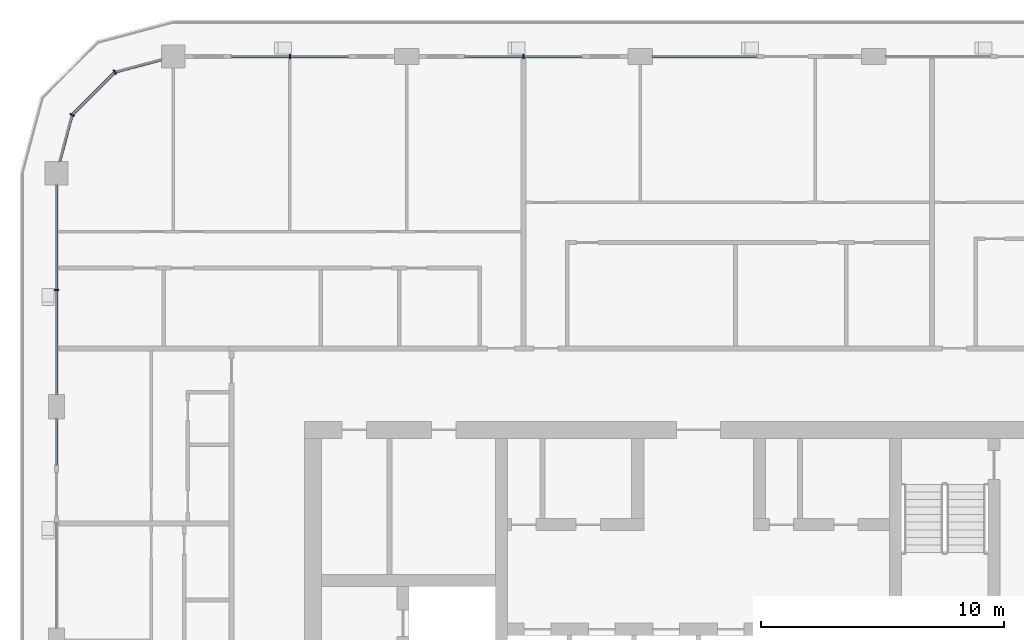
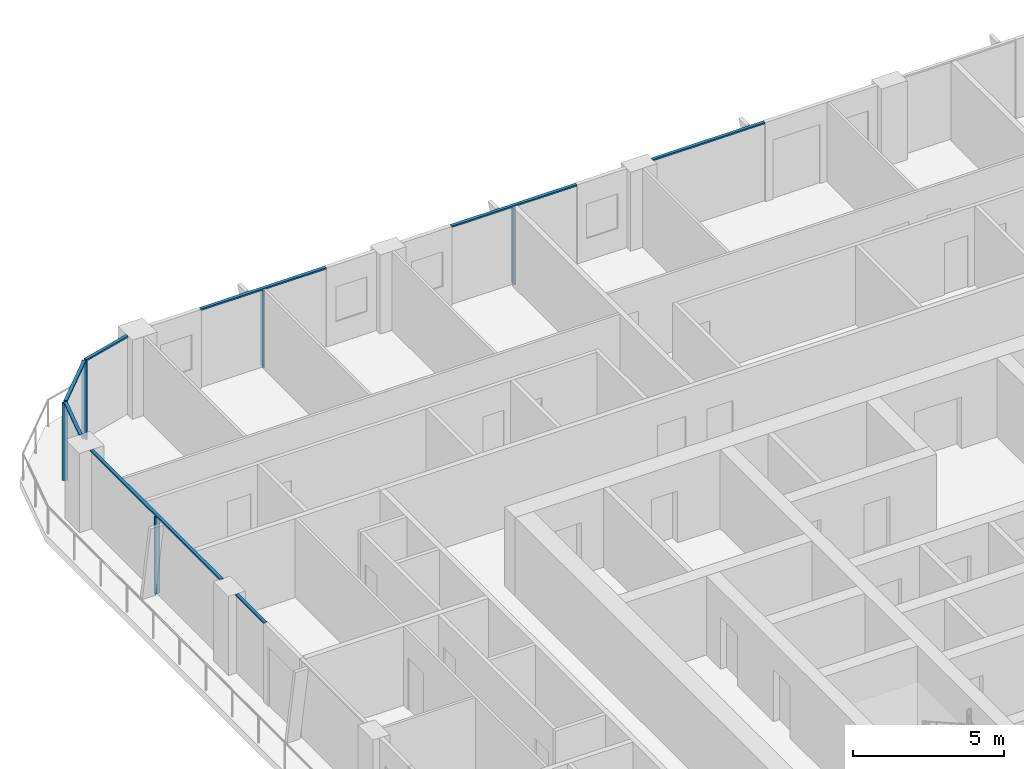
# One storey, part 5 of 23: 13 members, 6 elements without a shape of their own.
"""IFC4 building model written with IfcOpenShell, lengths in metres."""

from ifc_helpers import new_model, si_unit, direction, frame, origin, origin_2d, place, context, subcontext, project, spatial, rectangle, extrude, material, layer, layer_set, material_profile, profile_set, type_object, element, aggregate, save


model = new_model("IFC4")

# Units and contexts
model_context = context("Model", 3, precision=1e-05, world=origin(), true_north=direction((0.0, 1.0)))
body_context = subcontext(model_context, "Body", "Model", "MODEL_VIEW")
ifc_project = project(units=[si_unit("LENGTHUNIT", "METRE"), si_unit("AREAUNIT", "SQUARE_METRE"), si_unit("VOLUMEUNIT", "CUBIC_METRE"), si_unit("PLANEANGLEUNIT", "RADIAN"), si_unit("MASSUNIT", "GRAM", prefix="KILO")], contexts=[model_context])

# Site, building, storey
site_placement = place(None, origin())
site = spatial("IfcSite", under=ifc_project, at=site_placement, CompositionType="ELEMENT")
building_placement = place(site_placement, origin())
building = spatial("IfcBuilding", under=site, at=building_placement, Name="Madar Terraces", CompositionType="ELEMENT")
storey_placement = place(building_placement, frame((0.0, 0.0, 212.300048828125)))
storey = spatial("IfcBuildingStorey", under=building, at=storey_placement, Name="L55", CompositionType="ELEMENT", Elevation=212.300048828125)

# Curtain wall, member
ifc_material_1 = material(Name="Glass, ceramic frit dark grey, with black aluminium frame", Category="aluminium")
ifc_layer = layer(ifc_material_1, 0.199951171875)
ifc_layer_set = layer_set([ifc_layer], Name="Facade curtain wall, fritted glass")
curtain_wall_type = type_object("IfcCurtainWallType", Name="Facade curtain wall, fritted glass", PredefinedType="NOTDEFINED", material=ifc_layer_set)
curtain_wall_1_placement = place(storey_placement, origin())
curtain_wall_1 = element("IfcCurtainWall", 1, at=curtain_wall_1_placement, inside=storey, type_object=curtain_wall_type, Name="Outer skin curtain wall north bay 4", PredefinedType="NOTDEFINED")
ifc_material_2 = material(Name="Aluminium, black anodised", Category="aluminium")
ifc_material_profile_1 = material_profile(ifc_material_2, rectangle(XDim=0.199951171875, YDim=0.06005859375, at=origin_2d()), Name="Facade mullion 60x200")
ifc_profile_set_1 = profile_set([ifc_material_profile_1], Name="Aluminium, black anodised")
member_type_1 = type_object("IfcMemberType", Name="Facade mullion 60x200", PredefinedType="MULLION", material=ifc_profile_set_1)
member_1_placement = place(storey_placement, frame((24.0, 52.800048828125, 0.0), z_axis=(0.0, 0.0, 1.0), x_axis=(0.0, -1.0, 0.0)))
member_1 = element("IfcMember", 2, at=member_1_placement, type_object=member_type_1, Name="Mullion 1", PredefinedType="MULLION", context=body_context, shape_type="SweptSolid", body=[
    extrude(rectangle(XDim=0.199951171875, YDim=0.06005859375, at=origin_2d()), origin(), (0.0, 0.0, 1.0), 3.139892578125),
])

curtain_wall_2_placement = place(storey_placement, origin())
curtain_wall_2 = element("IfcCurtainWall", 3, at=curtain_wall_2_placement, inside=storey, type_object=curtain_wall_type, Name="Outer skin curtain wall north bay 5", PredefinedType="NOTDEFINED")
member_2_placement = place(storey_placement, frame((14.39990234375, 52.800048828125, 0.0), z_axis=(0.0, 0.0, 1.0), x_axis=(0.0, -1.0, 0.0)))
member_2 = element("IfcMember", 4, at=member_2_placement, type_object=member_type_1, Name="Mullion 1", PredefinedType="MULLION", context=body_context, shape_type="SweptSolid", body=[
    extrude(rectangle(XDim=0.199951171875, YDim=0.06005859375, at=origin_2d()), origin(), (0.0, 0.0, 1.0), 3.139892578125),
])

curtain_wall_3_placement = place(storey_placement, origin())
curtain_wall_3 = element("IfcCurtainWall", 5, at=curtain_wall_3_placement, inside=storey, type_object=curtain_wall_type, Name="Outer skin curtain wall west bay 1", PredefinedType="NOTDEFINED")
member_3_placement = place(storey_placement, frame((4.800048828125, 43.199951171875, 0.0), z_axis=(0.0, 0.0, 1.0), x_axis=(1.0, 0.0, 0.0)))
member_3 = element("IfcMember", 6, at=member_3_placement, type_object=member_type_1, Name="Mullion 1", PredefinedType="MULLION", context=body_context, shape_type="SweptSolid", body=[
    extrude(rectangle(XDim=0.199951171875, YDim=0.06005859375, at=origin_2d()), origin(), (0.0, 0.0, 1.0), 3.139892578125),
])

# Curtain wall, members
curtain_wall_4_placement = place(storey_placement, origin())
curtain_wall_4 = element("IfcCurtainWall", 7, at=curtain_wall_4_placement, inside=storey, type_object=curtain_wall_type, Name="Outer skin curtain wall north-west corner", PredefinedType="NOTDEFINED")
member_4_placement = place(storey_placement, frame((7.199951171875, 52.156982421875, 0.0), z_axis=(0.0, 0.0, 1.0), x_axis=(0.499999989586, -0.866025409797, 0.0)))
member_4 = element("IfcMember", 8, at=member_4_placement, type_object=member_type_1, Name="Mullion 1", PredefinedType="MULLION", context=body_context, shape_type="SweptSolid", body=[
    extrude(rectangle(XDim=0.199951171875, YDim=0.06005859375, at=origin_2d()), origin(), (0.0, 0.0, 1.0), 3.139892578125),
])
member_5_placement = place(storey_placement, frame((5.443115234375, 50.39990234375, 0.0), z_axis=(0.0, 0.0, 1.0), x_axis=(0.866025409797, -0.499999989586, 0.0)))
member_5 = element("IfcMember", 9, at=member_5_placement, type_object=member_type_1, Name="Mullion 2", PredefinedType="MULLION", context=body_context, shape_type="SweptSolid", body=[
    extrude(rectangle(XDim=0.199951171875, YDim=0.06005859375, at=origin_2d()), origin(), (0.0, 0.0, 1.0), 3.139892578125),
])

# Curtain wall, member
curtain_wall_5_placement = place(storey_placement, origin())
curtain_wall_5 = element("IfcCurtainWall", 10, at=curtain_wall_5_placement, inside=storey, type_object=curtain_wall_type, Name="Outer skin curtain wall north bay 3", PredefinedType="NOTDEFINED")
ifc_material_3 = material(Name="Aluminium, black anodised", Category="aluminium")
ifc_material_profile_2 = material_profile(ifc_material_3, rectangle(XDim=0.1201171875, YDim=0.06005859375, at=origin_2d()), Name="Facade transom 60x120")
ifc_profile_set_2 = profile_set([ifc_material_profile_2], Name="Aluminium, black anodised")
member_type_2 = type_object("IfcMemberType", Name="Facade transom 60x120", PredefinedType="USERDEFINED", material=ifc_profile_set_2)
member_6_placement = place(storey_placement, frame((33.60009765625, 52.800048828125, 3.169921875), z_axis=(-1.0, 0.0, 0.0), x_axis=(0.0, -1.0, 0.0)))
member_6 = element("IfcMember", 11, at=member_6_placement, type_object=member_type_2, Name="Transom 1", ObjectType="TRANSOM", PredefinedType="USERDEFINED", context=body_context, shape_type="SweptSolid", body=[
    extrude(rectangle(XDim=0.1201171875, YDim=0.06005859375, at=origin_2d()), origin(), (0.0, 0.0, 1.0), 4.300048828125),
])
aggregate(curtain_wall_5, [member_6])

# Member
member_7_placement = place(storey_placement, frame((26.39990234375, 52.800048828125, 3.169921875), z_axis=(-1.0, 0.0, 0.0), x_axis=(0.0, -1.0, 0.0)))
member_7 = element("IfcMember", 12, at=member_7_placement, type_object=member_type_2, Name="Transom 1", ObjectType="TRANSOM", PredefinedType="USERDEFINED", context=body_context, shape_type="SweptSolid", body=[
    extrude(rectangle(XDim=0.1201171875, YDim=0.06005859375, at=origin_2d()), origin(), (0.0, 0.0, 1.0), 4.7998046875),
])

aggregate(curtain_wall_1, [member_1, member_7])

member_8_placement = place(storey_placement, frame((16.800048828125, 52.800048828125, 3.169921875), z_axis=(-1.0, 0.0, 0.0), x_axis=(0.0, -1.0, 0.0)))
member_8 = element("IfcMember", 13, at=member_8_placement, type_object=member_type_2, Name="Transom 1", ObjectType="TRANSOM", PredefinedType="USERDEFINED", context=body_context, shape_type="SweptSolid", body=[
    extrude(rectangle(XDim=0.1201171875, YDim=0.06005859375, at=origin_2d()), origin(), (0.0, 0.0, 1.0), 4.800048828125),
])

aggregate(curtain_wall_2, [member_2, member_8])

member_9_placement = place(storey_placement, frame((4.800048828125, 47.52490234375, 3.169921875), z_axis=(0.0, -1.0, 0.0), x_axis=(1.0, 0.0, 0.0)))
member_9 = element("IfcMember", 14, at=member_9_placement, type_object=member_type_2, Name="Transom 1", ObjectType="TRANSOM", PredefinedType="USERDEFINED", context=body_context, shape_type="SweptSolid", body=[
    extrude(rectangle(XDim=0.1201171875, YDim=0.06005859375, at=origin_2d()), origin(), (0.0, 0.0, 1.0), 8.625),
])

aggregate(curtain_wall_3, [member_3, member_9])

# Curtain wall, member
curtain_wall_6_placement = place(storey_placement, origin())
curtain_wall_6 = element("IfcCurtainWall", 15, at=curtain_wall_6_placement, inside=storey, type_object=curtain_wall_type, Name="Outer skin curtain wall west bay 2", PredefinedType="NOTDEFINED")
member_10_placement = place(storey_placement, frame((4.800048828125, 37.89990234375, 3.169921875), z_axis=(0.0, -1.0, 0.0), x_axis=(1.0, 0.0, 0.0)))
member_10 = element("IfcMember", 16, at=member_10_placement, type_object=member_type_2, Name="Transom 1", ObjectType="TRANSOM", PredefinedType="USERDEFINED", context=body_context, shape_type="SweptSolid", body=[
    extrude(rectangle(XDim=0.1201171875, YDim=0.06005859375, at=origin_2d()), origin(), (0.0, 0.0, 1.0), 1.89990234375),
])
aggregate(curtain_wall_6, [member_10])

# Member
member_11_placement = place(storey_placement, frame((9.125, 52.672607421875, 3.169921875), z_axis=(-0.965953602414, -0.258715360935, 0.0), x_axis=(0.258715360935, -0.965953602414, 0.0)))
member_11 = element("IfcMember", 17, at=member_11_placement, type_object=member_type_2, Name="Transom 1", ObjectType="TRANSOM", PredefinedType="USERDEFINED", context=body_context, shape_type="SweptSolid", body=[
    extrude(rectangle(XDim=0.1201171875, YDim=0.06005859375, at=origin_2d()), origin(), (0.0, 0.0, 1.0), 1.962890625),
])

member_12_placement = place(storey_placement, frame((7.1787109375, 52.1357421875, 3.169921875), z_axis=(-0.707056433593, -0.707157125196, 0.0), x_axis=(0.707157125196, -0.707056433593, 0.0)))
member_12 = element("IfcMember", 18, at=member_12_placement, type_object=member_type_2, Name="Transom 2", ObjectType="TRANSOM", PredefinedType="USERDEFINED", context=body_context, shape_type="SweptSolid", body=[
    extrude(rectangle(XDim=0.1201171875, YDim=0.06005859375, at=origin_2d()), origin(), (0.0, 0.0, 1.0), 2.424560546875),
])

member_13_placement = place(storey_placement, frame((5.435302734375, 50.37109375, 3.169921875), z_axis=(-0.258831412352, -0.96592251241, 0.0), x_axis=(0.96592251241, -0.258831412352, 0.0)))
member_13 = element("IfcMember", 19, at=member_13_placement, type_object=member_type_2, Name="Transom 3", ObjectType="TRANSOM", PredefinedType="USERDEFINED", context=body_context, shape_type="SweptSolid", body=[
    extrude(rectangle(XDim=0.1201171875, YDim=0.06005859375, at=origin_2d()), origin(), (0.0, 0.0, 1.0), 1.962890625),
])

aggregate(curtain_wall_4, [member_4, member_11, member_5, member_12, member_13])

save(model, "model.ifc")
